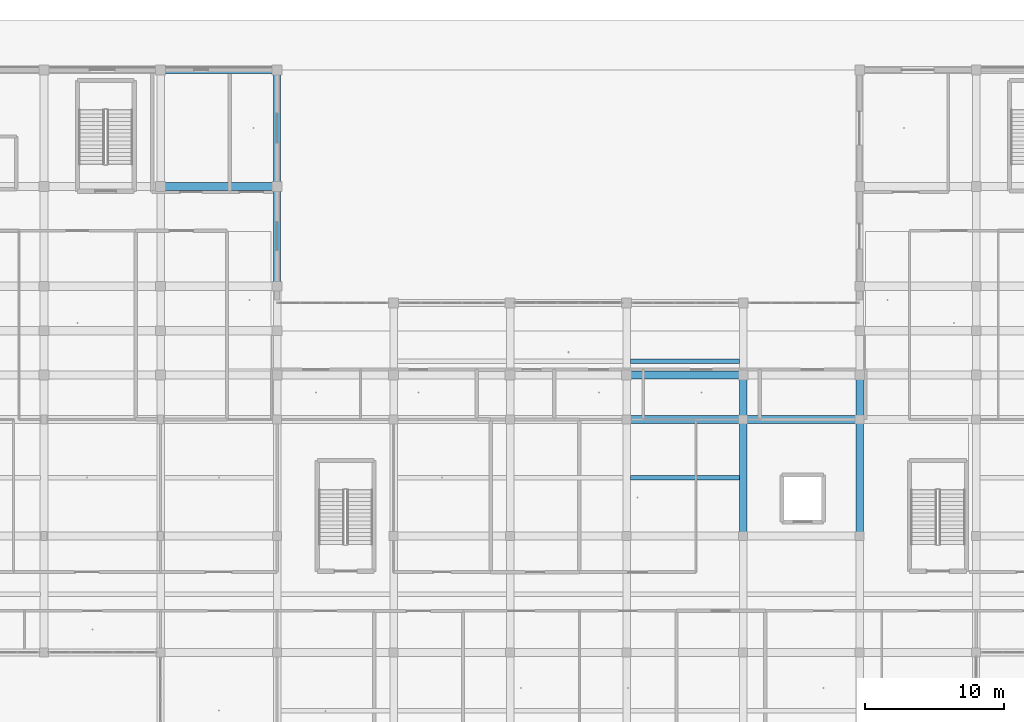
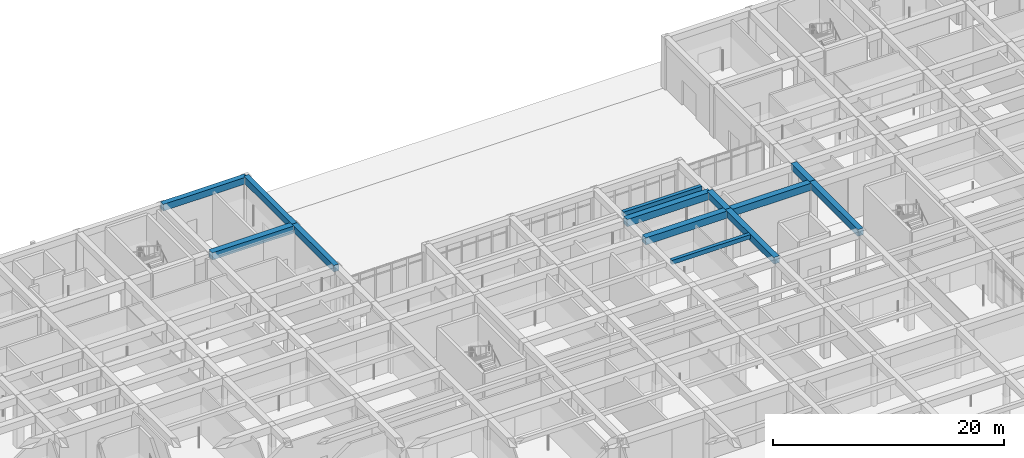
# One storey, part 35 of 167: 13 beams.
"""IFC4 building model written with IfcOpenShell, lengths in metres."""

from ifc_helpers import new_model, si_unit, direction, frame, origin, origin_2d, place, context, subcontext, project, spatial, rectangle, extrude, material, material_profile, profile_set, type_object, element, save


model = new_model("IFC4")

# Units and contexts
model_context = context("Model", 3, precision=1e-05, world=origin(), true_north=direction((0.0, 1.0)))
body_context = subcontext(model_context, "Body", "Model", "MODEL_VIEW")
ifc_project = project(units=[si_unit("LENGTHUNIT", "METRE"), si_unit("AREAUNIT", "SQUARE_METRE"), si_unit("VOLUMEUNIT", "CUBIC_METRE"), si_unit("PLANEANGLEUNIT", "RADIAN"), si_unit("MASSUNIT", "GRAM", prefix="KILO")], contexts=[model_context])

# Site, building, storey
site_placement = place(None, origin())
site = spatial("IfcSite", under=ifc_project, at=site_placement, CompositionType="ELEMENT")
building_placement = place(site_placement, origin())
building = spatial("IfcBuilding", under=site, at=building_placement, Name="Varncliffe General Hospital", CompositionType="ELEMENT")
storey_placement = place(building_placement, origin())
storey = spatial("IfcBuildingStorey", under=building, at=storey_placement, Name="L00", CompositionType="ELEMENT", Elevation=0.0)

# Beams
ifc_material = material(Name="Concrete C35/45 (CSA A23.1 35 MPa)", Category="concrete")
ifc_material_profile_1 = material_profile(ifc_material, rectangle(XDim=0.60009765625, YDim=0.75, at=origin_2d()), Name="RC 600x750")
ifc_profile_set_1 = profile_set([ifc_material_profile_1], Name="Concrete C35/45 (CSA A23.1 35 MPa)")
beam_type_1 = type_object("IfcBeamType", Name="Beam B23 (Int RC 600x750)", PredefinedType="BEAM", material=ifc_profile_set_1)
beam_1_placement = place(storey_placement, frame((92.39990234375, 99.60009765625, 5.02490234375), z_axis=(1.0, 0.0, 0.0), x_axis=(0.0, 1.0, 0.0)))
element("IfcBeam", 1, at=beam_1_placement, inside=storey, type_object=beam_type_1, Name="L00 Primary Beam B23-161", PredefinedType="BEAM", context=body_context, shape_type="SweptSolid", body=[
    extrude(rectangle(XDim=0.60009765625, YDim=0.75, at=origin_2d()), origin(), (0.0, 0.0, 1.0), 8.400146484375),
])
beam_2_placement = place(storey_placement, frame((100.800048828125, 99.60009765625, 5.02490234375), z_axis=(1.0, 0.0, 0.0), x_axis=(0.0, 1.0, 0.0)))
element("IfcBeam", 2, at=beam_2_placement, inside=storey, type_object=beam_type_1, Name="L00 Primary Beam B23-162", PredefinedType="BEAM", context=body_context, shape_type="SweptSolid", body=[
    extrude(rectangle(XDim=0.60009765625, YDim=0.75, at=origin_2d()), origin(), (0.0, 0.0, 1.0), 8.39990234375),
])
beam_3_placement = place(storey_placement, frame((92.39990234375, 102.800048828125, 5.02490234375), z_axis=(1.0, 0.0, 0.0), x_axis=(0.0, 1.0, 0.0)))
element("IfcBeam", 3, at=beam_3_placement, inside=storey, type_object=beam_type_1, Name="L00 Primary Beam B23-182", PredefinedType="BEAM", context=body_context, shape_type="SweptSolid", body=[
    extrude(rectangle(XDim=0.60009765625, YDim=0.75, at=origin_2d()), origin(), (0.0, 0.0, 1.0), 8.400146484375),
])
beam_4_placement = place(storey_placement, frame((58.800048828125, 116.39990234375, 5.02490234375), z_axis=(1.0, 0.0, 0.0), x_axis=(0.0, 1.0, 0.0)))
element("IfcBeam", 4, at=beam_4_placement, inside=storey, type_object=beam_type_1, Name="L00 Primary Beam B23-234", PredefinedType="BEAM", context=body_context, shape_type="SweptSolid", body=[
    extrude(rectangle(XDim=0.60009765625, YDim=0.75, at=origin_2d()), origin(), (0.0, 0.0, 1.0), 8.39990234375),
])
ifc_material_profile_2 = material_profile(ifc_material, rectangle(XDim=0.550048828125, YDim=0.699951171875, at=origin_2d()), Name="RC 550x700")
ifc_profile_set_2 = profile_set([ifc_material_profile_2], Name="Concrete C35/45 (CSA A23.1 35 MPa)")
beam_type_2 = type_object("IfcBeamType", Name="Beam B35 (Int RC 550x700)", PredefinedType="BEAM", material=ifc_profile_set_2)
beam_5_placement = place(storey_placement, frame((100.800048828125, 91.199951171875, 5.050048828125), z_axis=(0.0, 1.0, 0.0), x_axis=(-1.0, 0.0, 0.0)))
element("IfcBeam", 5, at=beam_5_placement, inside=storey, type_object=beam_type_2, Name="L00 Primary Beam B35-403", PredefinedType="BEAM", context=body_context, shape_type="SweptSolid", body=[
    extrude(rectangle(XDim=0.550048828125, YDim=0.699951171875, at=origin_2d()), origin(), (0.0, 0.0, 1.0), 8.400146484375),
])
beam_6_placement = place(storey_placement, frame((100.800048828125, 99.60009765625, 5.050048828125), z_axis=(0.0, 1.0, 0.0), x_axis=(-1.0, 0.0, 0.0)))
element("IfcBeam", 6, at=beam_6_placement, inside=storey, type_object=beam_type_2, Name="L00 Primary Beam B35-404", PredefinedType="BEAM", context=body_context, shape_type="SweptSolid", body=[
    extrude(rectangle(XDim=0.550048828125, YDim=0.699951171875, at=origin_2d()), origin(), (0.0, 0.0, 1.0), 3.199951171875),
])
beam_7_placement = place(storey_placement, frame((109.199951171875, 91.199951171875, 5.050048828125), z_axis=(0.0, 1.0, 0.0), x_axis=(-1.0, 0.0, 0.0)))
element("IfcBeam", 7, at=beam_7_placement, inside=storey, type_object=beam_type_2, Name="L00 Primary Beam B35-410", PredefinedType="BEAM", context=body_context, shape_type="SweptSolid", body=[
    extrude(rectangle(XDim=0.550048828125, YDim=0.699951171875, at=origin_2d()), origin(), (0.0, 0.0, 1.0), 8.400146484375),
])
beam_8_placement = place(storey_placement, frame((109.199951171875, 99.60009765625, 5.050048828125), z_axis=(0.0, 1.0, 0.0), x_axis=(-1.0, 0.0, 0.0)))
element("IfcBeam", 8, at=beam_8_placement, inside=storey, type_object=beam_type_2, Name="L00 Primary Beam B35-411", PredefinedType="BEAM", context=body_context, shape_type="SweptSolid", body=[
    extrude(rectangle(XDim=0.550048828125, YDim=0.699951171875, at=origin_2d()), origin(), (0.0, 0.0, 1.0), 3.199951171875),
])
ifc_material_profile_3 = material_profile(ifc_material, rectangle(XDim=0.35009765625, YDim=0.449951171875, at=origin_2d()), Name="RC 350x450")
ifc_profile_set_3 = profile_set([ifc_material_profile_3], Name="Concrete C35/45 (CSA A23.1 35 MPa)")
beam_type_3 = type_object("IfcBeamType", Name="Joist J55 (Int RC 350x450)", PredefinedType="JOIST", material=ifc_profile_set_3)
for number, where, z_axis, x_axis, name in (
    (9, (92.673095703125, 95.39990234375, 5.175048828125), (1.0, 0.0, 0.0), (0.0, 1.0, 0.0), "L00 Secondary Floor Rib J55-50"),
    (10, (92.673095703125, 103.800048828125, 5.175048828125), (1.0, 0.0, 0.0), (0.0, 1.0, 0.0), "L00 Secondary Floor Rib J55-51"),
):
    element("IfcBeam", number, at=place(storey_placement, frame(where, z_axis=z_axis, x_axis=x_axis)), inside=storey, type_object=beam_type_3, Name=name, PredefinedType="JOIST", context=body_context, shape_type="SweptSolid", body=[
        extrude(rectangle(XDim=0.35009765625, YDim=0.449951171875, at=origin_2d()), origin(), (0.0, 0.0, 1.0), 7.85400390625),
    ])
ifc_material_profile_4 = material_profile(ifc_material, rectangle(XDim=0.5, YDim=0.699951171875, at=origin_2d()), Name="RC 500x700")
ifc_profile_set_4 = profile_set([ifc_material_profile_4], Name="Concrete C35/45 (CSA A23.1 35 MPa)")
beam_type_4 = type_object("IfcBeamType", Name="Spandrel SP19 (Ext RC 500x700)", PredefinedType="SPANDREL", material=ifc_profile_set_4)
beam_9_placement = place(storey_placement, frame((58.800048828125, 124.800048828125, 5.050048828125), z_axis=(1.0, 0.0, 0.0), x_axis=(0.0, 1.0, 0.0)))
element("IfcBeam", 11, at=beam_9_placement, inside=storey, type_object=beam_type_4, Name="L00 Spandrel Beam SP19-250", PredefinedType="SPANDREL", context=body_context, shape_type="SweptSolid", body=[
    extrude(rectangle(XDim=0.5, YDim=0.699951171875, at=origin_2d()), origin(), (0.0, 0.0, 1.0), 8.39990234375),
])
beam_10_placement = place(storey_placement, frame((67.199951171875, 109.199951171875, 5.050048828125), z_axis=(0.0, 1.0, 0.0), x_axis=(-1.0, 0.0, 0.0)))
element("IfcBeam", 12, at=beam_10_placement, inside=storey, type_object=beam_type_4, Name="L00 Spandrel Beam SP19-376", PredefinedType="SPANDREL", context=body_context, shape_type="SweptSolid", body=[
    extrude(rectangle(XDim=0.5, YDim=0.699951171875, at=origin_2d()), origin(), (0.0, 0.0, 1.0), 7.199951171875),
])
beam_11_placement = place(storey_placement, frame((67.199951171875, 116.39990234375, 5.050048828125), z_axis=(0.0, 1.0, 0.0), x_axis=(-1.0, 0.0, 0.0)))
element("IfcBeam", 13, at=beam_11_placement, inside=storey, type_object=beam_type_4, Name="L00 Spandrel Beam SP19-377", PredefinedType="SPANDREL", context=body_context, shape_type="SweptSolid", body=[
    extrude(rectangle(XDim=0.5, YDim=0.699951171875, at=origin_2d()), origin(), (0.0, 0.0, 1.0), 8.400146484375),
])

save(model, "model.ifc")
